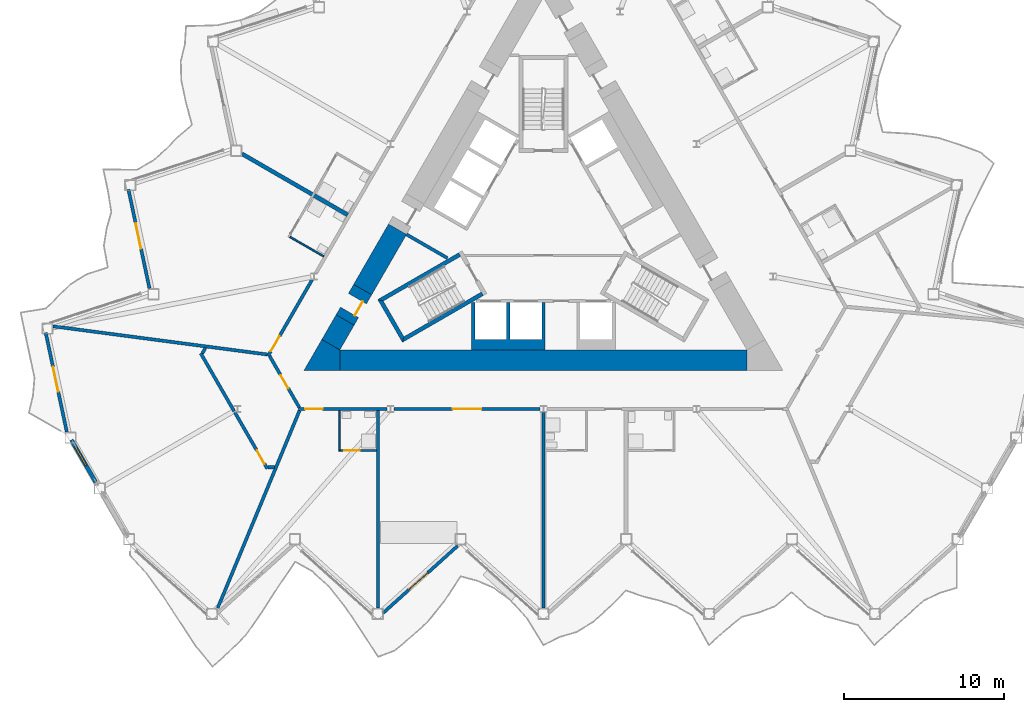
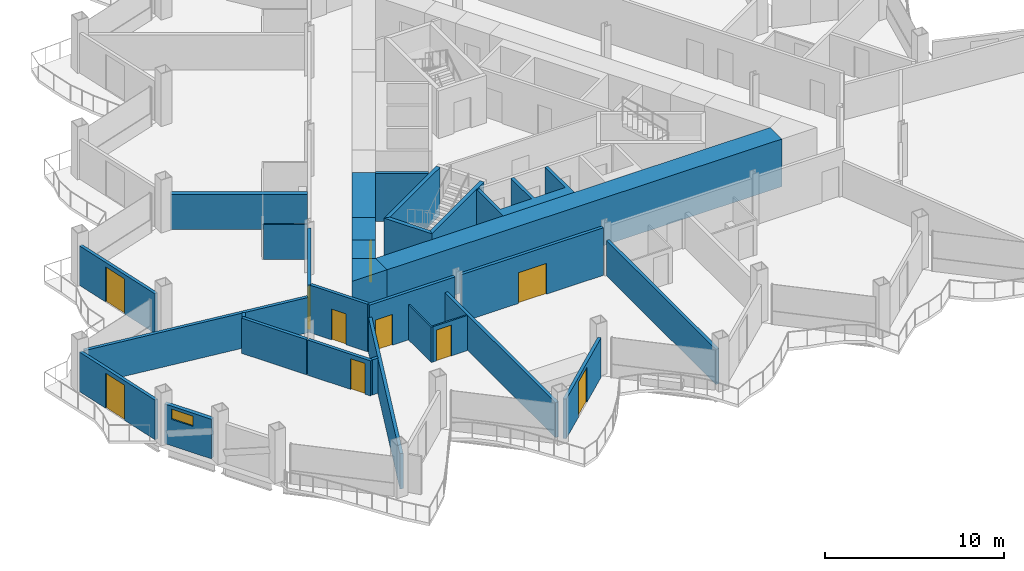
# One storey, part 11 of 23: 30 walls, 10 doors, 1 window, 11 openings.
"""IFC4 building model written with IfcOpenShell, lengths in metres."""

from ifc_helpers import new_model, si_unit, direction, frame, frame_2d, origin, place, context, subcontext, project, spatial, polyline, rectangle, outline, extrude, material, layer, layer_set, type_object, element, fill, save


model = new_model("IFC4")

# Units and contexts
model_context = context("Model", 3, precision=1e-05, world=origin(), true_north=direction((0.0, 1.0)))
body_context = subcontext(model_context, "Body", "Model", "MODEL_VIEW")
ifc_project = project(units=[si_unit("LENGTHUNIT", "METRE"), si_unit("AREAUNIT", "SQUARE_METRE"), si_unit("VOLUMEUNIT", "CUBIC_METRE"), si_unit("PLANEANGLEUNIT", "RADIAN"), si_unit("MASSUNIT", "GRAM", prefix="KILO")], contexts=[model_context])

# Site, building, storey
site_placement = place(None, origin())
site = spatial("IfcSite", under=ifc_project, at=site_placement, CompositionType="ELEMENT")
building_placement = place(site_placement, origin())
building = spatial("IfcBuilding", under=site, at=building_placement, Name="Cormorant Prow Tower", CompositionType="ELEMENT")
storey_placement = place(building_placement, frame((0.0, 0.0, 256.199951171875)))
storey = spatial("IfcBuildingStorey", under=building, at=storey_placement, Name="L57", CompositionType="ELEMENT", Elevation=256.199951171875)

# Walls
ifc_material_1 = material(Name="Concrete 8000 psi", Category="concrete")
ifc_layer_1 = layer(ifc_material_1, 1.300048828125)
ifc_layer_set_1 = layer_set([ifc_layer_1], Name="Concrete 8000 psi")
wall_type_1 = type_object("IfcWallType", Name="Core shear wall 1300", PredefinedType="SHEAR", material=ifc_layer_set_1)
wall_1_placement = place(storey_placement, frame((-12.748291015625, -8.01025390625, 0.0), z_axis=(0.0, 0.0, 1.0), x_axis=(1.0, 0.0, 0.0)))
element("IfcWall", 1, at=wall_1_placement, inside=storey, type_object=wall_type_1, Name="Core wall", PredefinedType="SHEAR", context=body_context, shape_type="SweptSolid", body=[
    extrude(rectangle(XDim=25.49658203125, YDim=1.300048828125, at=frame_2d((12.748291015625, 0.0))), origin(), (0.0, 0.0, 1.0), 3.25),
])
wall_2_placement = place(storey_placement, frame((-9.13720703125, 0.194580078125, 0.0), z_axis=(0.0, 0.0, 1.0), x_axis=(-0.499985697398, -0.866033661238, 0.0)))
element("IfcWall", 2, at=wall_2_placement, inside=storey, type_object=wall_type_1, Name="Core wall", PredefinedType="SHEAR", context=body_context, shape_type="SweptSolid", body=[
    extrude(rectangle(XDim=4.362060546875, YDim=1.300048828125, at=frame_2d((2.18115234375, 0.0))), origin(), (0.0, 0.0, 1.0), 3.25),
])
wall_3_placement = place(storey_placement, frame((-12.418212890625, -5.48828125, 0.0), z_axis=(0.0, 0.0, 1.0), x_axis=(-0.499931460552, -0.866064971437, 0.0)))
element("IfcWall", 3, at=wall_3_placement, inside=storey, type_object=wall_type_1, Name="Core wall", PredefinedType="SHEAR", context=body_context, shape_type="SweptSolid", body=[
    extrude(rectangle(XDim=1.786376953125, YDim=1.300048828125, at=frame_2d((0.89306640625, 0.0))), origin(), (0.0, 0.0, 1.0), 3.25),
])
wall_4_placement = place(storey_placement, origin())
element("IfcWall", 4, at=wall_4_placement, inside=storey, type_object=wall_type_1, Name="Core wall corner", PredefinedType="SHEAR", context=body_context, shape_type="SweptSolid", body=[
    extrude(outline(polyline([(-13.874267578125, -6.710205078125), (-12.748291015625, -7.3603515625), (-12.748291015625, -8.660400390625), (-15.0, -8.660400390625), (-13.874267578125, -6.710205078125)])), origin(), (0.0, 0.0, 1.0), 3.25),
])

# Wall, opening, door
wall_5_placement = place(storey_placement, frame((-11.318115234375, -3.5830078125, 0.0), z_axis=(0.0, 0.0, 1.0), x_axis=(-0.50002983664, -0.866008176907, 0.0)))
wall_5 = element("IfcWall", 5, at=wall_5_placement, inside=storey, type_object=wall_type_1, Name="Core wall door panel", PredefinedType="SHEAR", context=body_context, shape_type="SweptSolid", body=[
    extrude(rectangle(XDim=2.199951171875, YDim=1.300048828125, at=frame_2d((1.10009765625, 0.0))), origin(), (0.0, 0.0, 1.0), 3.25),
])
opening_1_placement = place(wall_5_placement, frame((0.64990234375, 0.0, 0.0)))
opening_1 = element("IfcOpeningElement", 6, at=opening_1_placement, cuts=wall_5, Name="Opening L57-C14", PredefinedType="OPENING", context=body_context, shape_type="SweptSolid", body=[
    extrude(rectangle(XDim=1.0, YDim=2.10009765625, at=frame_2d((0.5, 1.050048828125))), frame((0.0, 0.659912109375, 0.0), z_axis=(0.0, -1.0, 0.0), x_axis=(1.0, 0.0, 0.0)), (0.0, 0.0, 1.0), 1.320068359375),
])
ifc_material_2 = material(Name="Painted steel", Category="steel")
door_type_1 = type_object("IfcDoorType", Name="Service door 1000x2100", OperationType="NOTDEFINED", PredefinedType="DOOR", material=ifc_material_2)
door_1_placement = place(opening_1_placement, origin())
door_1 = element("IfcDoor", 7, at=door_1_placement, inside=storey, type_object=door_type_1, Name="Core door, Electrical room", OperationType="SINGLE_SWING_LEFT", OverallHeight=2.10009765625, OverallWidth=1.0, PredefinedType="DOOR", context=body_context, shape_type="SweptSolid", body=[
    extrude(rectangle(XDim=1.0, YDim=2.10009765625, at=frame_2d((0.5, 1.050048828125))), frame((0.0, 0.40478515625, 0.0), z_axis=(0.0, -1.0, 0.0), x_axis=(1.0, 0.0, 0.0)), (0.0, 0.0, 1.0), 0.050048828125),
])
fill(opening_1, door_1)

ifc_material_3 = material(Name="Gypsum board corridor wall")
ifc_layer_2 = layer(ifc_material_3, 0.199951171875)
ifc_layer_set_2 = layer_set([ifc_layer_2], Name="Gypsum board corridor wall")
wall_type_2 = type_object("IfcWallType", Name="Corridor wall 200", PredefinedType="PARTITIONING", material=ifc_layer_set_2)
wall_6_placement = place(storey_placement, frame((-9.368896484375, -11.060302734375, 0.0), z_axis=(0.0, 0.0, 1.0), x_axis=(1.0, 0.0, 0.0)))
wall_6 = element("IfcWall", 8, at=wall_6_placement, inside=storey, type_object=wall_type_2, Name="Corridor wall", PredefinedType="PARTITIONING", context=body_context, shape_type="SweptSolid", body=[
    extrude(rectangle(XDim=9.159423828125, YDim=0.199951171875, at=frame_2d((4.57958984375, 0.0))), origin(), (0.0, 0.0, 1.0), 3.25),
])
opening_2_placement = place(wall_6_placement, frame((3.6796875, 0.0, 0.0)))
opening_2 = element("IfcOpeningElement", 9, at=opening_2_placement, cuts=wall_6, Name="Opening L57-F03", PredefinedType="OPENING", context=body_context, shape_type="SweptSolid", body=[
    extrude(rectangle(XDim=1.800048828125, YDim=2.10009765625, at=frame_2d((0.89990234375, 1.050048828125))), frame((0.0, 0.10986328125, 0.0), z_axis=(0.0, -1.0, 0.0), x_axis=(1.0, 0.0, 0.0)), (0.0, 0.0, 1.0), 0.219970703125),
])
ifc_material_4 = material(Name="Timber door leaf", Category="wood")
door_type_2 = type_object("IfcDoorType", Name="Double door 1800x2100", OperationType="DOUBLE_DOOR_SINGLE_SWING", PredefinedType="DOOR", material=ifc_material_4)
door_2_placement = place(opening_2_placement, origin())
door_2 = element("IfcDoor", 10, at=door_2_placement, inside=storey, type_object=door_type_2, Name="Library door", OperationType="DOUBLE_DOOR_SINGLE_SWING", OverallHeight=2.10009765625, OverallWidth=1.800048828125, PredefinedType="DOOR", context=body_context, shape_type="SweptSolid", body=[
    extrude(rectangle(XDim=1.800048828125, YDim=2.10009765625, at=frame_2d((0.89990234375, 1.050048828125))), frame((0.0, 0.02490234375, 0.0), z_axis=(0.0, -1.0, 0.0), x_axis=(1.0, 0.0, 0.0)), (0.0, 0.0, 1.0), 0.050048828125),
])
fill(opening_2, door_2)

wall_7_placement = place(storey_placement, frame((-15.330810546875, -11.060302734375, 0.0), z_axis=(0.0, 0.0, 1.0), x_axis=(1.0, 0.0, 0.0)))
wall_7 = element("IfcWall", 11, at=wall_7_placement, inside=storey, type_object=wall_type_2, Name="Corridor wall", PredefinedType="PARTITIONING", context=body_context, shape_type="SweptSolid", body=[
    extrude(rectangle(XDim=5.542724609375, YDim=0.199951171875, at=frame_2d((2.771484375, 0.0))), origin(), (0.0, 0.0, 1.0), 3.25),
])
opening_3_placement = place(wall_7_placement, frame((0.403076171875, 0.0, 0.0)))
opening_3 = element("IfcOpeningElement", 12, at=opening_3_placement, cuts=wall_7, Name="Opening L57-F01", PredefinedType="OPENING", context=body_context, shape_type="SweptSolid", body=[
    extrude(rectangle(XDim=1.10009765625, YDim=2.10009765625, at=frame_2d((0.550048828125, 1.050048828125))), frame((0.0, 0.10986328125, 0.0), z_axis=(0.0, -1.0, 0.0), x_axis=(1.0, 0.0, 0.0)), (0.0, 0.0, 1.0), 0.219970703125),
])
ifc_material_5 = material(Name="Timber door leaf", Category="wood")
door_type_3 = type_object("IfcDoorType", Name="Suite entrance door 1100x2100", OperationType="NOTDEFINED", PredefinedType="DOOR", material=ifc_material_5)
door_3_placement = place(opening_3_placement, origin())
door_3 = element("IfcDoor", 13, at=door_3_placement, inside=storey, type_object=door_type_3, Name="Junior suite door", OperationType="SINGLE_SWING_LEFT", OverallHeight=2.10009765625, OverallWidth=1.10009765625, PredefinedType="DOOR", context=body_context, shape_type="SweptSolid", body=[
    extrude(rectangle(XDim=1.10009765625, YDim=2.10009765625, at=frame_2d((0.550048828125, 1.050048828125))), frame((0.0, 0.02490234375, 0.0), z_axis=(0.0, -1.0, 0.0), x_axis=(1.0, 0.0, 0.0)), (0.0, 0.0, 1.0), 0.050048828125),
])
fill(opening_3, door_3)

wall_8_placement = place(storey_placement, frame((-17.243896484375, -7.746826171875, 0.0), z_axis=(0.0, 0.0, 1.0), x_axis=(0.500017753321, 0.866015153657, 0.0)))
wall_8 = element("IfcWall", 14, at=wall_8_placement, inside=storey, type_object=wall_type_2, Name="Corridor wall", PredefinedType="PARTITIONING", context=body_context, shape_type="SweptSolid", body=[
    extrude(rectangle(XDim=5.510498046875, YDim=0.199951171875, at=frame_2d((2.75537109375, 0.0))), origin(), (0.0, 0.0, 1.0), 3.25),
])
opening_4_placement = place(wall_8_placement, frame((0.350341796875, 0.0, 0.0)))
opening_4 = element("IfcOpeningElement", 15, at=opening_4_placement, cuts=wall_8, Name="Opening L57-F23", PredefinedType="OPENING", context=body_context, shape_type="SweptSolid", body=[
    extrude(rectangle(XDim=1.10009765625, YDim=2.10009765625, at=frame_2d((0.550048828125, 1.050048828125))), frame((0.0, 0.10986328125, 0.0), z_axis=(0.0, -1.0, 0.0), x_axis=(1.0, 0.0, 0.0)), (0.0, 0.0, 1.0), 0.219970703125),
])
door_4_placement = place(opening_4_placement, origin())
door_4 = element("IfcDoor", 16, at=door_4_placement, inside=storey, type_object=door_type_3, Name="Executive suite bedroom door", OperationType="SINGLE_SWING_LEFT", OverallHeight=2.10009765625, OverallWidth=1.10009765625, PredefinedType="DOOR", context=body_context, shape_type="SweptSolid", body=[
    extrude(rectangle(XDim=1.10009765625, YDim=2.10009765625, at=frame_2d((0.550048828125, 1.050048828125))), frame((0.0, 0.02490234375, 0.0), z_axis=(0.0, -1.0, 0.0), x_axis=(1.0, 0.0, 0.0)), (0.0, 0.0, 1.0), 0.050048828125),
])
fill(opening_4, door_4)

wall_9_placement = place(storey_placement, frame((-17.143798828125, -7.746826171875, 0.0), z_axis=(0.0, 0.0, 1.0), x_axis=(0.499958791762, -0.866049194065, 0.0)))
wall_9 = element("IfcWall", 17, at=wall_9_placement, inside=storey, type_object=wall_type_2, Name="Corridor wall", PredefinedType="PARTITIONING", context=body_context, shape_type="SweptSolid", body=[
    extrude(rectangle(XDim=3.725830078125, YDim=0.199951171875, at=frame_2d((1.86279296875, 0.0))), origin(), (0.0, 0.0, 1.0), 3.25),
])
opening_5_placement = place(wall_9_placement, frame((1.387939453125, 0.0, 0.0)))
opening_5 = element("IfcOpeningElement", 18, at=opening_5_placement, cuts=wall_9, Name="Opening L57-F25", PredefinedType="OPENING", context=body_context, shape_type="SweptSolid", body=[
    extrude(rectangle(XDim=0.949951171875, YDim=2.10009765625, at=frame_2d((0.47509765625, 1.050048828125))), frame((0.0, 0.10986328125, 0.0), z_axis=(0.0, -1.0, 0.0), x_axis=(1.0, 0.0, 0.0)), (0.0, 0.0, 1.0), 0.219970703125),
])
ifc_material_6 = material(Name="Timber door leaf", Category="wood")
door_type_4 = type_object("IfcDoorType", Name="Store door 950x2100", OperationType="NOTDEFINED", PredefinedType="DOOR", material=ifc_material_6)
door_5_placement = place(opening_5_placement, origin())
door_5 = element("IfcDoor", 19, at=door_5_placement, inside=storey, type_object=door_type_4, Name="Guest pantry door", OperationType="SINGLE_SWING_LEFT", OverallHeight=2.10009765625, OverallWidth=0.949951171875, PredefinedType="DOOR", context=body_context, shape_type="SweptSolid", body=[
    extrude(rectangle(XDim=0.949951171875, YDim=2.10009765625, at=frame_2d((0.47509765625, 1.050048828125))), frame((0.0, 0.02490234375, 0.0), z_axis=(0.0, -1.0, 0.0), x_axis=(1.0, 0.0, 0.0)), (0.0, 0.0, 1.0), 0.050048828125),
])
fill(opening_5, door_5)

# Walls
ifc_material_7 = material(Name="Gypsum board demising wall")
ifc_layer_3 = layer(ifc_material_7, 0.199951171875)
ifc_layer_set_3 = layer_set([ifc_layer_3], Name="Gypsum board demising wall")
wall_type_3 = type_object("IfcWallType", Name="Demising wall 200", PredefinedType="PARTITIONING", material=ifc_layer_set_3)
wall_10_placement = place(storey_placement, frame((-30.703125, -5.8818359375, 0.0), z_axis=(0.0, 0.0, 1.0), x_axis=(0.991445815272, -0.130518946443, 0.0)))
element("IfcWall", 20, at=wall_10_placement, inside=storey, type_object=wall_type_3, Name="Demising wall", PredefinedType="PARTITIONING", context=body_context, shape_type="SweptSolid", body=[
    extrude(rectangle(XDim=13.52587890625, YDim=0.199951171875, at=frame_2d((6.762939453125, 0.0))), origin(), (0.0, 0.0, 1.0), 2.404296875),
])
wall_11_placement = place(storey_placement, frame((-20.39599609375, -23.52978515625, 0.0), z_axis=(0.0, 0.0, 1.0), x_axis=(0.382692998932, 0.923875569851, 0.0)))
element("IfcWall", 21, at=wall_11_placement, inside=storey, type_object=wall_type_3, Name="Demising wall", PredefinedType="PARTITIONING", context=body_context, shape_type="SweptSolid", body=[
    extrude(rectangle(XDim=13.39697265625, YDim=0.199951171875, at=frame_2d((6.698486328125, 0.0))), origin(), (0.0, 0.0, 1.0), 2.404296875),
])
wall_12_placement = place(storey_placement, frame((-10.35888671875, -23.52685546875, 0.0), z_axis=(0.0, 0.0, 1.0), x_axis=(0.0, 1.0, 0.0)))
element("IfcWall", 22, at=wall_12_placement, inside=storey, type_object=wall_type_3, Name="Demising wall", PredefinedType="PARTITIONING", context=body_context, shape_type="SweptSolid", body=[
    extrude(rectangle(XDim=12.366455078125, YDim=0.199951171875, at=frame_2d((6.18310546875, 0.0))), origin(), (0.0, 0.0, 1.0), 2.404296875),
])
wall_13_placement = place(storey_placement, frame((0.0, -23.52685546875, 0.0), z_axis=(0.0, 0.0, 1.0), x_axis=(0.0, 1.0, 0.0)))
element("IfcWall", 23, at=wall_13_placement, inside=storey, type_object=wall_type_3, Name="Demising wall", PredefinedType="PARTITIONING", context=body_context, shape_type="SweptSolid", body=[
    extrude(rectangle(XDim=12.257080078125, YDim=0.199951171875, at=frame_2d((6.12841796875, 0.0))), origin(), (0.0, 0.0, 1.0), 2.404296875),
])
wall_14_placement = place(storey_placement, frame((-21.45849609375, -7.57373046875, 0.0), z_axis=(0.0, 0.0, 1.0), x_axis=(0.499973304129, -0.866040816104, 0.0)))
element("IfcWall", 24, at=wall_14_placement, inside=storey, type_object=wall_type_3, Name="Demising wall", PredefinedType="PARTITIONING", context=body_context, shape_type="SweptSolid", body=[
    extrude(rectangle(XDim=4.184326171875, YDim=0.199951171875, at=frame_2d((2.09228515625, 0.0))), origin(), (0.0, 0.0, 1.0), 2.404296875),
])

# Wall, opening, door
wall_15_placement = place(storey_placement, frame((-19.32470703125, -11.269775390625, 0.0), z_axis=(0.0, 0.0, 1.0), x_axis=(0.500000928893, -0.866024867487, 0.0)))
wall_15 = element("IfcWall", 25, at=wall_15_placement, inside=storey, type_object=wall_type_3, Name="Demising wall", PredefinedType="PARTITIONING", context=body_context, shape_type="SweptSolid", body=[
    extrude(rectangle(XDim=4.07275390625, YDim=0.199951171875, at=frame_2d((2.036376953125, 0.0))), origin(), (0.0, 0.0, 1.0), 2.404296875),
])
opening_6_placement = place(wall_15_placement, frame((2.77197265625, 0.0, 0.0)))
opening_6 = element("IfcOpeningElement", 26, at=opening_6_placement, cuts=wall_15, Name="Opening L57-F26", PredefinedType="OPENING", context=body_context, shape_type="SweptSolid", body=[
    extrude(rectangle(XDim=0.949951171875, YDim=2.10009765625, at=frame_2d((0.47509765625, 1.050048828125))), frame((0.0, 0.10986328125, 0.0), z_axis=(0.0, -1.0, 0.0), x_axis=(1.0, 0.0, 0.0)), (0.0, 0.0, 1.0), 0.219970703125),
])
door_6_placement = place(opening_6_placement, origin())
door_6 = element("IfcDoor", 27, at=door_6_placement, inside=storey, type_object=door_type_4, Name="Luggage store door", OperationType="SINGLE_SWING_RIGHT", OverallHeight=2.10009765625, OverallWidth=0.949951171875, PredefinedType="DOOR", context=body_context, shape_type="SweptSolid", body=[
    extrude(rectangle(XDim=0.949951171875, YDim=2.10009765625, at=frame_2d((0.47509765625, 1.050048828125))), frame((0.0, 0.02490234375, 0.0), z_axis=(0.0, -1.0, 0.0), x_axis=(1.0, 0.0, 0.0)), (0.0, 0.0, 1.0), 0.050048828125),
])
fill(opening_6, door_6)

# Walls
for number, where, z_axis, x_axis, name in (
    (28, (-17.23828125, -14.710205078125, 0.0), (0.0, 0.0, 1.0), (1.0, 0.0, 0.0), "Demising wall"),
    (29, (-21.358642578125, -7.57373046875, 0.0), (0.0, 0.0, 1.0), (0.499989616998, 0.866031398331, 0.0), "Demising wall"),
):
    element("IfcWall", number, at=place(storey_placement, frame(where, z_axis=z_axis, x_axis=x_axis)), inside=storey, type_object=wall_type_3, Name=name, PredefinedType="PARTITIONING", context=body_context, shape_type="SweptSolid", body=[
        extrude(rectangle(XDim=0.3955078125, YDim=0.199951171875, at=frame_2d((0.19775390625, 0.0))), origin(), (0.0, 0.0, 1.0), 2.404296875),
    ])
ifc_material_8 = material(Name="Gypsum board partition")
ifc_layer_4 = layer(ifc_material_8, 0.10009765625)
ifc_layer_set_4 = layer_set([ifc_layer_4], Name="Gypsum board partition")
wall_type_4 = type_object("IfcWallType", Name="Internal partition 100", PredefinedType="PARTITIONING", material=ifc_layer_set_4)
wall_16_placement = place(storey_placement, frame((-12.759033203125, -13.710205078125, 0.0), z_axis=(0.0, 0.0, 1.0), x_axis=(0.0, 1.0, 0.0)))
element("IfcWall", 30, at=wall_16_placement, inside=storey, type_object=wall_type_4, Name="Internal partition", PredefinedType="PARTITIONING", context=body_context, shape_type="SweptSolid", body=[
    extrude(rectangle(XDim=2.5498046875, YDim=0.10009765625, at=frame_2d((1.27490234375, 0.0))), origin(), (0.0, 0.0, 1.0), 2.404296875),
])
wall_17_placement = place(storey_placement, frame((-15.876708984375, -0.278564453125, 0.0), z_axis=(0.0, 0.0, 1.0), x_axis=(0.866057815567, -0.499943856944, 0.0)))
element("IfcWall", 31, at=wall_17_placement, inside=storey, type_object=wall_type_4, Name="Internal partition", PredefinedType="PARTITIONING", context=body_context, shape_type="SweptSolid", body=[
    extrude(rectangle(XDim=2.449951171875, YDim=0.10009765625, at=frame_2d((1.22509765625, 0.0))), origin(), (0.0, 0.0, 1.0), 2.404296875),
])

# Wall, opening, door
wall_18_placement = place(storey_placement, frame((-12.708984375, -13.660400390625, 0.0), z_axis=(0.0, 0.0, 1.0), x_axis=(1.0, 0.0, 0.0)))
wall_18 = element("IfcWall", 32, at=wall_18_placement, inside=storey, type_object=wall_type_4, Name="Internal partition", PredefinedType="PARTITIONING", context=body_context, shape_type="SweptSolid", body=[
    extrude(rectangle(XDim=2.25, YDim=0.10009765625, at=frame_2d((1.125, 0.0))), origin(), (0.0, 0.0, 1.0), 2.404296875),
])
opening_7_placement = place(wall_18_placement, frame((0.25, 0.0, 0.0)))
opening_7 = element("IfcOpeningElement", 33, at=opening_7_placement, cuts=wall_18, Name="Opening L57-F02", PredefinedType="OPENING", context=body_context, shape_type="SweptSolid", body=[
    extrude(rectangle(XDim=0.949951171875, YDim=2.10009765625, at=frame_2d((0.47509765625, 1.050048828125))), frame((0.0, 0.06005859375, 0.0), z_axis=(0.0, -1.0, 0.0), x_axis=(1.0, 0.0, 0.0)), (0.0, 0.0, 1.0), 0.1201171875),
])
ifc_material_9 = material(Name="Timber door leaf", Category="wood")
door_type_5 = type_object("IfcDoorType", Name="Bathroom door 950x2100", OperationType="NOTDEFINED", PredefinedType="DOOR", material=ifc_material_9)
door_7_placement = place(opening_7_placement, origin())
door_7 = element("IfcDoor", 34, at=door_7_placement, inside=storey, type_object=door_type_5, Name="Junior suite door", OperationType="SINGLE_SWING_LEFT", OverallHeight=2.10009765625, OverallWidth=0.949951171875, PredefinedType="DOOR", context=body_context, shape_type="SweptSolid", body=[
    extrude(rectangle(XDim=0.949951171875, YDim=2.10009765625, at=frame_2d((0.47509765625, 1.050048828125))), frame((0.0, 0.02490234375, 0.0), z_axis=(0.0, -1.0, 0.0), x_axis=(1.0, 0.0, 0.0)), (0.0, 0.0, 1.0), 0.050048828125),
])
fill(opening_7, door_7)

# Walls
ifc_material_10 = material(Name="Concrete 8000 psi", Category="concrete")
ifc_layer_5 = layer(ifc_material_10, 0.199951171875)
ifc_layer_set_5 = layer_set([ifc_layer_5], Name="Concrete 8000 psi")
wall_type_5 = type_object("IfcWallType", Name="Lift shaft wall 200", PredefinedType="SHEAR", material=ifc_layer_set_5)
wall_19_placement = place(storey_placement, origin())
element("IfcWall", 35, at=wall_19_placement, inside=storey, type_object=wall_type_5, Name="Lift shaft walls, S block", PredefinedType="SHEAR", context=body_context, shape_type="SweptSolid", body=[
    extrude(outline(polyline([(0.10009765625, -7.3603515625), (-4.5, -7.3603515625), (-4.5, -4.39990234375), (-4.300048828125, -4.39990234375), (-4.300048828125, -6.699951171875), (-2.300048828125, -6.699951171875), (-2.300048828125, -4.39990234375), (-2.10009765625, -4.39990234375), (-2.10009765625, -6.699951171875), (-0.10009765625, -6.699951171875), (-0.10009765625, -4.39990234375), (0.10009765625, -4.39990234375), (0.10009765625, -7.3603515625)])), origin(), (0.0, 0.0, 1.0), 3.25),
])
wall_20_placement = place(storey_placement, origin())
element("IfcWall", 36, at=wall_20_placement, inside=storey, type_object=wall_type_5, Name="Lift shaft walls, WNW block", PredefinedType="SHEAR", context=body_context, shape_type="SweptSolid", body=[
    extrude(outline(polyline([(-8.524169921875, -0.043701171875), (-8.130859375, -0.27099609375), (-5.96044921875, -1.52392578125), (-6.060546875, -1.697021484375), (-8.230712890625, -0.444091796875), (-8.624267578125, -0.217041015625), (-8.524169921875, -0.043701171875)])), origin(), (0.0, 0.0, 1.0), 3.25),
])
ifc_material_11 = material(Name="Concrete 8000 psi", Category="concrete")
ifc_layer_6 = layer(ifc_material_11, 0.25)
ifc_layer_set_6 = layer_set([ifc_layer_6], Name="Concrete 8000 psi")
wall_type_6 = type_object("IfcWallType", Name="Stair wall 250", PredefinedType="SHEAR", material=ifc_layer_set_6)
wall_21_placement = place(storey_placement, origin())
element("IfcWall", 37, at=wall_21_placement, inside=storey, type_object=wall_type_6, Name="Stair ST1 enclosure wall (flank)", PredefinedType="SHEAR", context=body_context, shape_type="SweptSolid", body=[
    extrude(outline(polyline([(-5.30712890625, -1.28125), (-10.37353515625, -4.206298828125), (-10.031982421875, -4.2978515625), (-5.18212890625, -1.497802734375), (-5.30712890625, -1.28125)])), origin(), (0.0, 0.0, 1.0), 3.25),
])
wall_22_placement = place(storey_placement, origin())
element("IfcWall", 38, at=wall_22_placement, inside=storey, type_object=wall_type_6, Name="Stair ST1 enclosure wall (end)", PredefinedType="SHEAR", context=body_context, shape_type="SweptSolid", body=[
    extrude(outline(polyline([(-10.37353515625, -4.206298828125), (-8.82958984375, -6.880615234375), (-8.738037109375, -6.5390625), (-10.031982421875, -4.2978515625), (-10.37353515625, -4.206298828125)])), origin(), (0.0, 0.0, 1.0), 3.25),
])
wall_23_placement = place(storey_placement, origin())
element("IfcWall", 39, at=wall_23_placement, inside=storey, type_object=wall_type_6, Name="Stair ST1 enclosure wall (flank)", PredefinedType="SHEAR", context=body_context, shape_type="SweptSolid", body=[
    extrude(outline(polyline([(-8.738037109375, -6.5390625), (-8.82958984375, -6.880615234375), (-3.76318359375, -3.95556640625), (-3.88818359375, -3.739013671875), (-8.738037109375, -6.5390625)])), origin(), (0.0, 0.0, 1.0), 3.25),
])
ifc_material_12 = material(Name="Acoustic gypsum party wall")
ifc_layer_7 = layer(ifc_material_12, 0.25)
ifc_layer_set_7 = layer_set([ifc_layer_7], Name="Acoustic gypsum party wall")
wall_type_7 = type_object("IfcWallType", Name="Suite party wall 250", PredefinedType="PARTITIONING", material=ifc_layer_set_7)
wall_24_placement = place(storey_placement, frame((-18.875, 4.916748046875, 0.0), z_axis=(0.0, 0.0, 1.0), x_axis=(0.866017519557, -0.500013655634, 0.0)))
element("IfcWall", 40, at=wall_24_placement, inside=storey, type_object=wall_type_7, Name="Suite party wall", PredefinedType="PARTITIONING", context=body_context, shape_type="SweptSolid", body=[
    extrude(rectangle(XDim=7.644287109375, YDim=0.25, at=frame_2d((3.822265625, 0.0))), origin(), (0.0, 0.0, 1.0), 2.404296875),
])

# Wall, opening, window
ifc_material_13 = material(Name="Terracotta", Category="masonry")
ifc_layer_8 = layer(ifc_material_13, 0.25)
ifc_layer_set_8 = layer_set([ifc_layer_8], Name="Terracotta")
wall_type_8 = type_object("IfcWallType", Name="Terracotta bay wall 250", PredefinedType="SOLIDWALL", material=ifc_layer_set_8)
wall_25_placement = place(storey_placement, frame((-29.55859375, -13.00244140625, 0.0), z_axis=(0.0, 0.0, 1.0), x_axis=(0.500023511883, -0.866011828767, 0.0)))
wall_25 = element("IfcWall", 41, at=wall_25_placement, inside=storey, type_object=wall_type_8, Name="Terracotta bay wall WSW00", PredefinedType="SOLIDWALL", context=body_context, shape_type="SweptSolid", body=[
    extrude(rectangle(XDim=3.041748046875, YDim=0.25, at=frame_2d((1.52099609375, 0.0))), origin(), (0.0, 0.0, 1.0), 2.700927734375),
])
opening_8_placement = place(wall_25_placement, frame((0.449951171875, 0.0, 1.800048828125)))
opening_8 = element("IfcOpeningElement", 42, at=opening_8_placement, cuts=wall_25, Name="Opening WN4", PredefinedType="OPENING", context=body_context, shape_type="SweptSolid", body=[
    extrude(rectangle(XDim=1.39990234375, YDim=0.699951171875, at=frame_2d((0.699951171875, 0.35009765625))), frame((0.0, 0.135009765625, 0.0), z_axis=(0.0, -1.0, 0.0), x_axis=(1.0, 0.0, 0.0)), (0.0, 0.0, 1.0), 0.27001953125),
])
ifc_material_14 = material(Name="Aluminium 6063-T6", Category="aluminium")
window_type = type_object("IfcWindowType", Name="Corner bay window 1400x700", PartitioningType="SINGLE_PANEL", PredefinedType="WINDOW", material=ifc_material_14)
window_placement = place(opening_8_placement, origin())
window = element("IfcWindow", 43, at=window_placement, inside=storey, type_object=window_type, Name="Corner bay window WSW00", OverallHeight=0.699951171875, OverallWidth=1.39990234375, PartitioningType="SINGLE_PANEL", PredefinedType="WINDOW", context=body_context, shape_type="SweptSolid", body=[
    extrude(rectangle(XDim=1.39990234375, YDim=0.699951171875, at=frame_2d((0.699951171875, 0.35009765625))), frame((0.0, 0.030029296875, 0.0), z_axis=(0.0, -1.0, 0.0), x_axis=(1.0, 0.0, 0.0)), (0.0, 0.0, 1.0), 0.06005859375),
])
fill(opening_8, window)

# Wall, opening, door
ifc_material_15 = material(Name="Terracotta", Category="masonry")
ifc_layer_9 = layer(ifc_material_15, 0.199951171875)
ifc_layer_set_9 = layer_set([ifc_layer_9], Name="Terracotta")
wall_type_9 = type_object("IfcWallType", Name="Terracotta jamb wall 200", PredefinedType="SOLIDWALL", material=ifc_layer_set_9)
wall_26_placement = place(storey_placement, frame((-10.0537109375, -23.84765625, 0.0), z_axis=(0.0, 0.0, 1.0), x_axis=(0.74314024121, 0.669135697668, 0.0)))
wall_26 = element("IfcWall", 44, at=wall_26_placement, inside=storey, type_object=wall_type_9, Name="Terracotta jamb wall S03", PredefinedType="SOLIDWALL", context=body_context, shape_type="SweptSolid", body=[
    extrude(rectangle(XDim=6.31103515625, YDim=0.199951171875, at=frame_2d((3.155517578125, 0.0))), origin(), (0.0, 0.0, 1.0), 2.700927734375),
])
opening_9_placement = place(wall_26_placement, frame((2.183837890625, 0.0, 0.0)))
opening_9 = element("IfcOpeningElement", 45, at=opening_9_placement, cuts=wall_26, Name="Opening ED57.02", PredefinedType="OPENING", context=body_context, shape_type="SweptSolid", body=[
    extrude(rectangle(XDim=1.60009765625, YDim=2.39990234375, at=frame_2d((0.800048828125, 1.199951171875))), frame((0.0, 0.10986328125, 0.0), z_axis=(0.0, -1.0, 0.0), x_axis=(1.0, 0.0, 0.0)), (0.0, 0.0, 1.0), 0.219970703125),
])
ifc_material_16 = material(Name="Aluminium 6063-T6", Category="aluminium")
door_type_6 = type_object("IfcDoorType", Name="Balcony door 1600x2400", OperationType="DOUBLE_DOOR_SINGLE_SWING", PredefinedType="DOOR", material=ifc_material_16)
door_8_placement = place(opening_9_placement, origin())
door_8 = element("IfcDoor", 46, at=door_8_placement, inside=storey, type_object=door_type_6, Name="Balcony door S03 ED57.02", OperationType="DOUBLE_DOOR_SINGLE_SWING", OverallHeight=2.39990234375, OverallWidth=1.60009765625, PredefinedType="DOOR", context=body_context, shape_type="SweptSolid", body=[
    extrude(rectangle(XDim=1.60009765625, YDim=2.39990234375, at=frame_2d((0.800048828125, 1.199951171875))), frame((0.0, 0.02490234375, 0.0), z_axis=(0.0, -1.0, 0.0), x_axis=(1.0, 0.0, 0.0)), (0.0, 0.0, 1.0), 0.050048828125),
])
fill(opening_9, door_8)

wall_27_placement = place(storey_placement, frame((-25.98486328125, 2.688232421875, 0.0), z_axis=(0.0, 0.0, 1.0), x_axis=(0.207906715746, -0.978148658205, 0.0)))
wall_27 = element("IfcWall", 47, at=wall_27_placement, inside=storey, type_object=wall_type_9, Name="Terracotta jamb wall WNW07", PredefinedType="SOLIDWALL", context=body_context, shape_type="SweptSolid", body=[
    extrude(rectangle(XDim=6.331787109375, YDim=0.199951171875, at=frame_2d((3.166015625, 0.0))), origin(), (0.0, 0.0, 1.0), 2.700927734375),
])
opening_10_placement = place(wall_27_placement, frame((2.183837890625, 0.0, 0.0)))
opening_10 = element("IfcOpeningElement", 48, at=opening_10_placement, cuts=wall_27, Name="Opening ED57.14", PredefinedType="OPENING", context=body_context, shape_type="SweptSolid", body=[
    extrude(rectangle(XDim=1.60009765625, YDim=2.39990234375, at=frame_2d((0.800048828125, 1.199951171875))), frame((0.0, 0.10986328125, 0.0), z_axis=(0.0, -1.0, 0.0), x_axis=(1.0, 0.0, 0.0)), (0.0, 0.0, 1.0), 0.219970703125),
])
door_9_placement = place(opening_10_placement, origin())
door_9 = element("IfcDoor", 49, at=door_9_placement, inside=storey, type_object=door_type_6, Name="Balcony door WNW07 ED57.14", OperationType="DOUBLE_DOOR_SINGLE_SWING", OverallHeight=2.39990234375, OverallWidth=1.60009765625, PredefinedType="DOOR", context=body_context, shape_type="SweptSolid", body=[
    extrude(rectangle(XDim=1.60009765625, YDim=2.39990234375, at=frame_2d((0.800048828125, 1.199951171875))), frame((0.0, 0.02490234375, 0.0), z_axis=(0.0, -1.0, 0.0), x_axis=(1.0, 0.0, 0.0)), (0.0, 0.0, 1.0), 0.050048828125),
])
fill(opening_10, door_9)

wall_28_placement = place(storey_placement, frame((-31.164306640625, -6.282958984375, 0.0), z_axis=(0.0, 0.0, 1.0), x_axis=(0.207900158502, -0.978150051932, 0.0)))
wall_28 = element("IfcWall", 50, at=wall_28_placement, inside=storey, type_object=wall_type_9, Name="Terracotta jamb wall WNW09", PredefinedType="SOLIDWALL", context=body_context, shape_type="SweptSolid", body=[
    extrude(rectangle(XDim=6.34716796875, YDim=0.199951171875, at=frame_2d((3.173583984375, 0.0))), origin(), (0.0, 0.0, 1.0), 2.700927734375),
])
opening_11_placement = place(wall_28_placement, frame((2.183837890625, 0.0, 0.0)))
opening_11 = element("IfcOpeningElement", 51, at=opening_11_placement, cuts=wall_28, Name="Opening ED57.15", PredefinedType="OPENING", context=body_context, shape_type="SweptSolid", body=[
    extrude(rectangle(XDim=1.60009765625, YDim=2.39990234375, at=frame_2d((0.800048828125, 1.199951171875))), frame((0.0, 0.10986328125, 0.0), z_axis=(0.0, -1.0, 0.0), x_axis=(1.0, 0.0, 0.0)), (0.0, 0.0, 1.0), 0.219970703125),
])
door_10_placement = place(opening_11_placement, origin())
door_10 = element("IfcDoor", 52, at=door_10_placement, inside=storey, type_object=door_type_6, Name="Balcony door WNW09 ED57.15", OperationType="DOUBLE_DOOR_SINGLE_SWING", OverallHeight=2.39990234375, OverallWidth=1.60009765625, PredefinedType="DOOR", context=body_context, shape_type="SweptSolid", body=[
    extrude(rectangle(XDim=1.60009765625, YDim=2.39990234375, at=frame_2d((0.800048828125, 1.199951171875))), frame((0.0, 0.02490234375, 0.0), z_axis=(0.0, -1.0, 0.0), x_axis=(1.0, 0.0, 0.0)), (0.0, 0.0, 1.0), 0.050048828125),
])
fill(opening_11, door_10)

save(model, "model.ifc")
